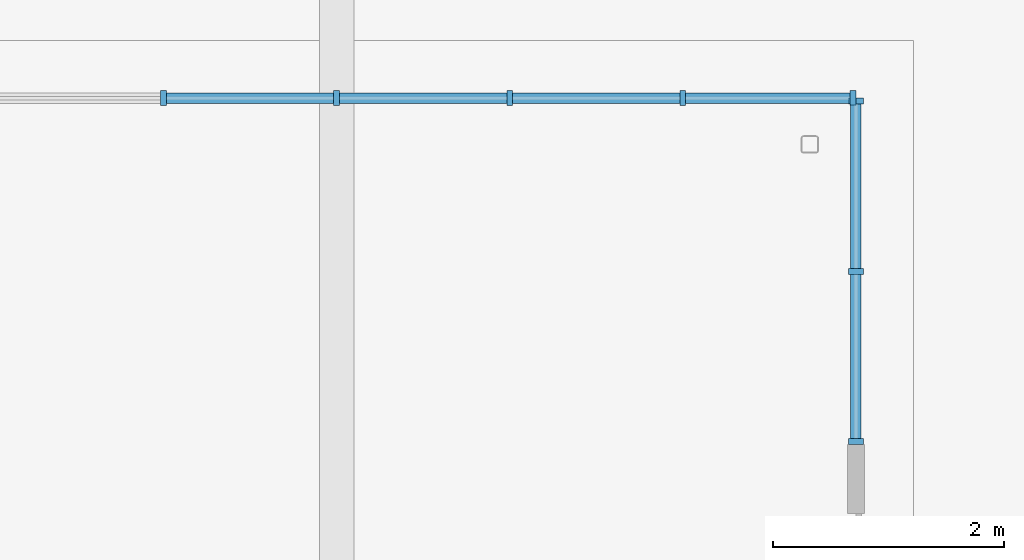
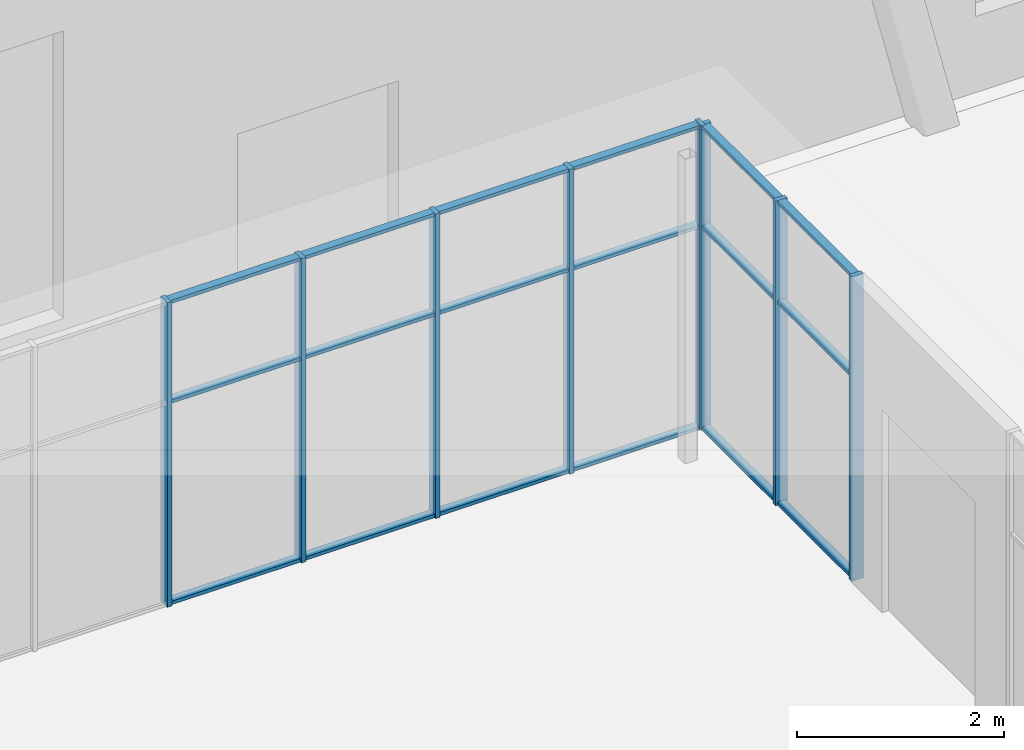
# One storey, part 7 of 33: 26 members, 2 elements without a shape of their own.
"""IFC4 building model written with IfcOpenShell, lengths in metres."""

import ifcopenshell
import ifcopenshell.guid

model = None  # the IFC model being written
_history = None  # IfcOwnerHistory: only IFC2X3 demands one
_inside = {}  # id of a spatial element -> (the spatial element, [elements in it])
_under = {}  # id of a project, library or spatial element -> (it, [spatial elements below it])
_declared = {}  # id of a project -> (the project, [libraries it declares])
_typed = {}  # id of a type object -> (the type object, [elements of that type])
_made_of = {}  # id of a material, layer set ... -> (it, [elements and type objects made of it])


def new_model(schema):
    """Start an empty IFC model of exactly this schema.

    Asked for "IFC4X3", IfcOpenShell would pick the latest addendum, in which some entities
    have other attributes; the version numbers below select the first issue.
    IFC2X3 requires an IfcOwnerHistory on every rooted entity: one is made here for all.
    """
    global model, _history
    if schema == "IFC4X3":
        model = ifcopenshell.file(schema_version=(4, 3, 0, 0))
    else:
        model = ifcopenshell.file(schema=schema)
    _inside.clear()
    _under.clear()
    _declared.clear()
    _typed.clear()
    _made_of.clear()
    _history = None
    if model.schema == "IFC2X3":
        org = make("IfcOrganization", Name="unknown")
        user = make(
            "IfcPersonAndOrganization",
            ThePerson=make("IfcPerson", FamilyName="unknown"),
            TheOrganization=org,
        )
        app = make(
            "IfcApplication",
            ApplicationDeveloper=org,
            Version="unknown",
            ApplicationFullName="unknown",
            ApplicationIdentifier="unknown",
        )
        _history = make(
            "IfcOwnerHistory",
            OwningUser=user,
            OwningApplication=app,
            ChangeAction="ADDED",
            CreationDate=0,
        )
    return model


def make(cls, **values):
    """One entity of the class cls with the attributes given. An attribute that is None is left unset."""
    return model.create_entity(
        cls, **{name: value for name, value in values.items() if value is not None}
    )


def rooted(cls, **values):
    """An entity with a GlobalId (a new one), such as an element, a storey or a relation."""
    return make(cls, GlobalId=ifcopenshell.guid.new(), OwnerHistory=_history, **values)


def si_unit(unit_type, name, prefix=None):
    """IfcSIUnit, for example si_unit("LENGTHUNIT", "METRE", prefix="MILLI")."""
    return make("IfcSIUnit", UnitType=unit_type, Prefix=prefix, Name=name)


def assignment(units):
    """IfcUnitAssignment: the units of a project."""
    return None if units is None else make("IfcUnitAssignment", Units=units)


def point(xyz):
    """IfcCartesianPoint."""
    return None if xyz is None else make("IfcCartesianPoint", Coordinates=xyz)


def direction(xyz):
    """IfcDirection."""
    return None if xyz is None else make("IfcDirection", DirectionRatios=xyz)


def frame(location, z_axis=None, x_axis=None):
    """IfcAxis2Placement3D, a coordinate frame: its origin and axes. An axis left out is left unset."""
    return make(
        "IfcAxis2Placement3D",
        Location=point(location),
        Axis=direction(z_axis),
        RefDirection=direction(x_axis),
    )


def frame_2d(location, x_axis=None):
    """IfcAxis2Placement2D, a coordinate frame in the plane: its origin and x axis."""
    return make(
        "IfcAxis2Placement2D", Location=point(location), RefDirection=direction(x_axis)
    )


def origin():
    """The frame at (0, 0, 0) with its axes left unset."""
    return frame((0.0, 0.0, 0.0))


def origin_2d():
    """The frame at (0, 0) in the plane with its x axis left unset."""
    return frame_2d((0.0, 0.0))


def place(relative_to, where):
    """IfcLocalPlacement: puts the frame where relative to a parent placement (None: the world)."""
    return make(
        "IfcLocalPlacement", PlacementRelTo=relative_to, RelativePlacement=where
    )


def context(
    kind, dimensions, precision=None, world=None, true_north=None, identifier=None
):
    """IfcGeometricRepresentationContext, for example the 3D "Model" context."""
    return make(
        "IfcGeometricRepresentationContext",
        ContextIdentifier=identifier,
        ContextType=kind,
        CoordinateSpaceDimension=dimensions,
        Precision=precision,
        WorldCoordinateSystem=world,
        TrueNorth=true_north,
    )


def subcontext(parent, identifier, kind, view, scale=None):
    """IfcGeometricRepresentationSubContext, for example "Body" below "Model"."""
    return make(
        "IfcGeometricRepresentationSubContext",
        ContextIdentifier=identifier,
        ContextType=kind,
        ParentContext=parent,
        TargetScale=scale,
        TargetView=view,
    )


def project(units=None, contexts=None):
    """IfcProject with its units and contexts."""
    return rooted(
        "IfcProject",
        Name="project",
        RepresentationContexts=contexts,
        UnitsInContext=assignment(units),
    )


def spatial(cls, under=None, at=None, **own):
    """A site, building, storey or space (cls), placed at a placement, below another one or the project."""
    s = rooted(cls, ObjectPlacement=at, **own)
    if under is not None:
        _under.setdefault(under.id(), (under, []))[1].append(s)
    return s


def profile(cls, at=None, kind="AREA", **sizes):
    """A parametric profile (cls). Its sizes go by their IFC names, for example OverallWidth=200.0."""
    return make(cls, ProfileType=kind, Position=at, **sizes)


def rectangle(**sizes):
    """IfcRectangleProfileDef."""
    return profile("IfcRectangleProfileDef", **sizes)


def extrude(swept, where, along, depth):
    """IfcExtrudedAreaSolid: the profile swept, set in the frame where, extruded along a direction by depth."""
    return make(
        "IfcExtrudedAreaSolid",
        SweptArea=swept,
        Position=where,
        ExtrudedDirection=direction(along),
        Depth=depth,
    )


def shape(context_of_items, identifier, shape_type, items):
    """IfcShapeRepresentation: the items that make up one representation, for example the "Body"."""
    return make(
        "IfcShapeRepresentation",
        ContextOfItems=context_of_items,
        RepresentationIdentifier=identifier,
        RepresentationType=shape_type,
        Items=items,
    )


def material(Name=None, Category=None):
    """IfcMaterial."""
    return make("IfcMaterial", Name=Name, Category=Category)


def constituent(of_material, Name=None, Category=None, fraction=None):
    """IfcMaterialConstituent: one of the materials an element consists of."""
    return make(
        "IfcMaterialConstituent",
        Name=Name,
        Material=of_material,
        Fraction=fraction,
        Category=Category,
    )


def constituent_set(constituents=None, Name=None):
    """IfcMaterialConstituentSet."""
    return make(
        "IfcMaterialConstituentSet", Name=Name, MaterialConstituents=constituents
    )


def material_profile(
    of_material, cross_section, Name=None, Category=None, Priority=None
):
    """IfcMaterialProfile: a cross section and its material."""
    return make(
        "IfcMaterialProfile",
        Name=Name,
        Material=of_material,
        Profile=cross_section,
        Priority=Priority,
        Category=Category,
    )


def profile_set(profiles, Name=None, composite=None):
    """IfcMaterialProfileSet."""
    return make(
        "IfcMaterialProfileSet",
        Name=Name,
        MaterialProfiles=profiles,
        CompositeProfile=composite,
    )


def made_of(thing, what):
    """Note that an element or type object is made of a material, layer set ...; save() writes the relation."""
    if what is not None:
        _made_of.setdefault(what.id(), (what, []))[1].append(thing)
    return thing


def type_object(cls, material=None, **own):
    """A type object (cls), such as IfcWallType, which elements share."""
    return made_of(rooted(cls, **own), material)


def element(
    cls,
    number,
    at=None,
    inside=None,
    cuts=None,
    type_object=None,
    material=None,
    context=None,
    identifier="Body",
    shape_type=None,
    held_by="IfcProductDefinitionShape",
    body=None,
    shapes=None,
    **own,
):
    """One element of the class cls, such as IfcWall. Its Tag is "e" and its number.

    at: its placement. inside: the storey or other place that contains it. cuts: it is an
    opening in that element (IfcRelVoidsElement). A single representation is given by context,
    identifier, shape_type and body (its items); several are given by shapes. held_by: the class
    of the entity that holds the representations. save() writes the other relations.
    """
    e = rooted(cls, Tag="e%d" % number, ObjectPlacement=at, **own)
    if body is not None:
        shapes = [shape(context, identifier, shape_type, body)]
    if shapes is not None:
        e.Representation = make(held_by, Representations=shapes)
    if inside is not None:
        _inside.setdefault(inside.id(), (inside, []))[1].append(e)
    if cuts is not None:
        rooted(
            "IfcRelVoidsElement", RelatingBuildingElement=cuts, RelatedOpeningElement=e
        )
    if type_object is not None:
        _typed.setdefault(type_object.id(), (type_object, []))[1].append(e)
    return made_of(e, material)


def aggregate(whole, parts):
    """IfcRelAggregates: a whole, such as a stair, and the parts it consists of."""
    return rooted("IfcRelAggregates", RelatingObject=whole, RelatedObjects=parts)


def save(model, path):
    """Write the relations noted so far, then the file.

    IfcRelAggregates (storeys below a building ...), IfcRelContainedInSpatialStructure (elements
    in a storey), IfcRelDefinesByType, IfcRelAssociatesMaterial and IfcRelDeclares: one each for
    every whole, place, type object, material and project.
    """
    for whole, parts in _under.values():
        aggregate(whole, parts)
    for where, things in _inside.values():
        rooted(
            "IfcRelContainedInSpatialStructure",
            RelatedElements=things,
            RelatingStructure=where,
        )
    for kind, things in _typed.values():
        rooted("IfcRelDefinesByType", RelatedObjects=things, RelatingType=kind)
    for what, things in _made_of.values():
        rooted("IfcRelAssociatesMaterial", RelatedObjects=things, RelatingMaterial=what)
    for by, libraries in _declared.values():
        rooted("IfcRelDeclares", RelatingContext=by, RelatedDefinitions=libraries)
    model.write(path)


model = new_model("IFC4")

# Units and contexts
model_context = context("Model", 3, precision=1e-05, world=origin(), true_north=direction((0.0, 1.0)))
body_context = subcontext(model_context, "Body", "Model", "MODEL_VIEW")
ifc_project = project(units=[si_unit("LENGTHUNIT", "METRE"), si_unit("AREAUNIT", "SQUARE_METRE"), si_unit("VOLUMEUNIT", "CUBIC_METRE"), si_unit("PLANEANGLEUNIT", "RADIAN"), si_unit("MASSUNIT", "GRAM", prefix="KILO")], contexts=[model_context])

# Site, building, storey
site_placement = place(None, origin())
site = spatial("IfcSite", under=ifc_project, at=site_placement, CompositionType="ELEMENT")
building_placement = place(site_placement, origin())
building = spatial("IfcBuilding", under=site, at=building_placement, Name="Quoin Convention Tower", CompositionType="ELEMENT")
storey_placement = place(building_placement, frame((0.0, 0.0, 8.0)))
storey = spatial("IfcBuildingStorey", under=building, at=storey_placement, Name="L01", CompositionType="ELEMENT", Elevation=8.0)

# Curtain wall, members
ifc_material_1 = material(Name="Aluminium", Category="aluminium")
ifc_constituent_1 = constituent(ifc_material_1, Name="Frame")
ifc_material_2 = material(Name="Insulated glass", Category="glass")
ifc_constituent_2 = constituent(ifc_material_2, Name="Glazing")
ifc_constituent_set = constituent_set(constituents=[ifc_constituent_1, ifc_constituent_2], Name="Aluminium")
curtain_wall_type = type_object("IfcCurtainWallType", Name="Garden pavilion glazing system", PredefinedType="NOTDEFINED", material=ifc_constituent_set)
curtain_wall_1_placement = place(storey_placement, origin())
curtain_wall_1 = element("IfcCurtainWall", 1, at=curtain_wall_1_placement, inside=storey, type_object=curtain_wall_type, Name="cw-PAV-W0-31500_10500", PredefinedType="NOTDEFINED")
ifc_material_profile_1 = material_profile(ifc_material_1, rectangle(XDim=0.1298828125, YDim=0.050048828125, at=origin_2d()), Name="Garden pavilion glazing mullion 50x130")
ifc_profile_set_1 = profile_set([ifc_material_profile_1], Name="Aluminium")
member_type_1 = type_object("IfcMemberType", Name="Garden pavilion glazing mullion 50x130", PredefinedType="MULLION", material=ifc_profile_set_1)
member_1_placement = place(storey_placement, frame((31.5, 10.52490234375, 0.0), z_axis=(0.0, 0.0, 1.0), x_axis=(-1.0, 0.0, 0.0)))
member_1 = element("IfcMember", 2, at=member_1_placement, type_object=member_type_1, Name="CW4 mullion 1", PredefinedType="MULLION", context=body_context, shape_type="SweptSolid", body=[
    extrude(rectangle(XDim=0.1298828125, YDim=0.050048828125, at=origin_2d()), origin(), (0.0, 0.0, 1.0), 3.60009765625),
])
member_2_placement = place(storey_placement, frame((31.5, 12.0, 0.0), z_axis=(0.0, 0.0, 1.0), x_axis=(-1.0, 0.0, 0.0)))
member_2 = element("IfcMember", 3, at=member_2_placement, type_object=member_type_1, Name="CW4 mullion 2", PredefinedType="MULLION", context=body_context, shape_type="SweptSolid", body=[
    extrude(rectangle(XDim=0.1298828125, YDim=0.050048828125, at=origin_2d()), origin(), (0.0, 0.0, 1.0), 3.60009765625),
])
member_3_placement = place(storey_placement, frame((31.5, 13.47509765625, 0.0), z_axis=(0.0, 0.0, 1.0), x_axis=(-1.0, 0.0, 0.0)))
member_3 = element("IfcMember", 4, at=member_3_placement, type_object=member_type_1, Name="CW4 mullion 3", PredefinedType="MULLION", context=body_context, shape_type="SweptSolid", body=[
    extrude(rectangle(XDim=0.1298828125, YDim=0.050048828125, at=origin_2d()), origin(), (0.0, 0.0, 1.0), 3.60009765625),
])

curtain_wall_2_placement = place(storey_placement, origin())
curtain_wall_2 = element("IfcCurtainWall", 5, at=curtain_wall_2_placement, inside=storey, type_object=curtain_wall_type, Name="cw-PAV-W1-31500_13500", PredefinedType="NOTDEFINED")
member_4_placement = place(storey_placement, frame((31.47509765625, 13.5, 0.0), z_axis=(0.0, 0.0, 1.0), x_axis=(0.0, -1.0, 0.0)))
member_4 = element("IfcMember", 6, at=member_4_placement, type_object=member_type_1, Name="CW4 mullion 1", PredefinedType="MULLION", context=body_context, shape_type="SweptSolid", body=[
    extrude(rectangle(XDim=0.1298828125, YDim=0.050048828125, at=origin_2d()), origin(), (0.0, 0.0, 1.0), 3.60009765625),
])
member_5_placement = place(storey_placement, frame((30.0, 13.5, 0.0), z_axis=(0.0, 0.0, 1.0), x_axis=(0.0, -1.0, 0.0)))
member_5 = element("IfcMember", 7, at=member_5_placement, type_object=member_type_1, Name="CW4 mullion 2", PredefinedType="MULLION", context=body_context, shape_type="SweptSolid", body=[
    extrude(rectangle(XDim=0.1298828125, YDim=0.050048828125, at=origin_2d()), origin(), (0.0, 0.0, 1.0), 3.60009765625),
])
member_6_placement = place(storey_placement, frame((28.5, 13.5, 0.0), z_axis=(0.0, 0.0, 1.0), x_axis=(0.0, -1.0, 0.0)))
member_6 = element("IfcMember", 8, at=member_6_placement, type_object=member_type_1, Name="CW4 mullion 3", PredefinedType="MULLION", context=body_context, shape_type="SweptSolid", body=[
    extrude(rectangle(XDim=0.1298828125, YDim=0.050048828125, at=origin_2d()), origin(), (0.0, 0.0, 1.0), 3.60009765625),
])
member_7_placement = place(storey_placement, frame((27.0, 13.5, 0.0), z_axis=(0.0, 0.0, 1.0), x_axis=(0.0, -1.0, 0.0)))
member_7 = element("IfcMember", 9, at=member_7_placement, type_object=member_type_1, Name="CW4 mullion 4", PredefinedType="MULLION", context=body_context, shape_type="SweptSolid", body=[
    extrude(rectangle(XDim=0.1298828125, YDim=0.050048828125, at=origin_2d()), origin(), (0.0, 0.0, 1.0), 3.60009765625),
])
member_8_placement = place(storey_placement, frame((25.5, 13.5, 0.0), z_axis=(0.0, 0.0, 1.0), x_axis=(0.0, -1.0, 0.0)))
member_8 = element("IfcMember", 10, at=member_8_placement, type_object=member_type_1, Name="CW4 mullion 5", PredefinedType="MULLION", context=body_context, shape_type="SweptSolid", body=[
    extrude(rectangle(XDim=0.1298828125, YDim=0.050048828125, at=origin_2d()), origin(), (0.0, 0.0, 1.0), 3.60009765625),
])

# Member
ifc_material_profile_2 = material_profile(ifc_material_1, rectangle(XDim=0.090087890625, YDim=0.0400390625, at=origin_2d()), Name="Garden pavilion glazing transom 40x90")
ifc_profile_set_2 = profile_set([ifc_material_profile_2], Name="Aluminium")
member_type_2 = type_object("IfcMemberType", Name="Garden pavilion glazing transom 40x90", PredefinedType="USERDEFINED", material=ifc_profile_set_2)
member_9_placement = place(storey_placement, frame((31.5, 10.550048828125, 0.02001953125), z_axis=(0.0, 1.0, 0.0), x_axis=(-1.0, 0.0, 0.0)))
member_9 = element("IfcMember", 11, at=member_9_placement, type_object=member_type_2, Name="CW4 transom 1.1", ObjectType="TRANSOM", PredefinedType="USERDEFINED", context=body_context, shape_type="SweptSolid", body=[
    extrude(rectangle(XDim=0.090087890625, YDim=0.0400390625, at=origin_2d()), origin(), (0.0, 0.0, 1.0), 1.425048828125),
])

member_10_placement = place(storey_placement, frame((31.5, 10.550048828125, 2.39990234375), z_axis=(0.0, 1.0, 0.0), x_axis=(-1.0, 0.0, 0.0)))
member_10 = element("IfcMember", 12, at=member_10_placement, type_object=member_type_2, Name="CW4 transom 1.2", ObjectType="TRANSOM", PredefinedType="USERDEFINED", context=body_context, shape_type="SweptSolid", body=[
    extrude(rectangle(XDim=0.090087890625, YDim=0.0400390625, at=origin_2d()), origin(), (0.0, 0.0, 1.0), 1.425048828125),
])

member_11_placement = place(storey_placement, frame((31.5, 10.550048828125, 3.580078125), z_axis=(0.0, 1.0, 0.0), x_axis=(-1.0, 0.0, 0.0)))
member_11 = element("IfcMember", 13, at=member_11_placement, type_object=member_type_2, Name="CW4 transom 1.3", ObjectType="TRANSOM", PredefinedType="USERDEFINED", context=body_context, shape_type="SweptSolid", body=[
    extrude(rectangle(XDim=0.090087890625, YDim=0.0400390625, at=origin_2d()), origin(), (0.0, 0.0, 1.0), 1.425048828125),
])

member_12_placement = place(storey_placement, frame((31.5, 12.02490234375, 0.02001953125), z_axis=(0.0, 1.0, 0.0), x_axis=(-1.0, 0.0, 0.0)))
member_12 = element("IfcMember", 14, at=member_12_placement, type_object=member_type_2, Name="CW4 transom 2.1", ObjectType="TRANSOM", PredefinedType="USERDEFINED", context=body_context, shape_type="SweptSolid", body=[
    extrude(rectangle(XDim=0.090087890625, YDim=0.0400390625, at=origin_2d()), origin(), (0.0, 0.0, 1.0), 1.425048828125),
])

member_13_placement = place(storey_placement, frame((31.5, 12.02490234375, 2.39990234375), z_axis=(0.0, 1.0, 0.0), x_axis=(-1.0, 0.0, 0.0)))
member_13 = element("IfcMember", 15, at=member_13_placement, type_object=member_type_2, Name="CW4 transom 2.2", ObjectType="TRANSOM", PredefinedType="USERDEFINED", context=body_context, shape_type="SweptSolid", body=[
    extrude(rectangle(XDim=0.090087890625, YDim=0.0400390625, at=origin_2d()), origin(), (0.0, 0.0, 1.0), 1.425048828125),
])

member_14_placement = place(storey_placement, frame((31.5, 12.02490234375, 3.580078125), z_axis=(0.0, 1.0, 0.0), x_axis=(-1.0, 0.0, 0.0)))
member_14 = element("IfcMember", 16, at=member_14_placement, type_object=member_type_2, Name="CW4 transom 2.3", ObjectType="TRANSOM", PredefinedType="USERDEFINED", context=body_context, shape_type="SweptSolid", body=[
    extrude(rectangle(XDim=0.090087890625, YDim=0.0400390625, at=origin_2d()), origin(), (0.0, 0.0, 1.0), 1.425048828125),
])

aggregate(curtain_wall_1, [member_1, member_2, member_3, member_9, member_10, member_11, member_12, member_13, member_14])

member_15_placement = place(storey_placement, frame((31.449951171875, 13.5, 0.02001953125), z_axis=(-1.0, 0.0, 0.0), x_axis=(0.0, -1.0, 0.0)))
member_15 = element("IfcMember", 17, at=member_15_placement, type_object=member_type_2, Name="CW4 transom 1.1", ObjectType="TRANSOM", PredefinedType="USERDEFINED", context=body_context, shape_type="SweptSolid", body=[
    extrude(rectangle(XDim=0.090087890625, YDim=0.0400390625, at=origin_2d()), origin(), (0.0, 0.0, 1.0), 1.425048828125),
])

member_16_placement = place(storey_placement, frame((31.449951171875, 13.5, 2.39990234375), z_axis=(-1.0, 0.0, 0.0), x_axis=(0.0, -1.0, 0.0)))
member_16 = element("IfcMember", 18, at=member_16_placement, type_object=member_type_2, Name="CW4 transom 1.2", ObjectType="TRANSOM", PredefinedType="USERDEFINED", context=body_context, shape_type="SweptSolid", body=[
    extrude(rectangle(XDim=0.090087890625, YDim=0.0400390625, at=origin_2d()), origin(), (0.0, 0.0, 1.0), 1.425048828125),
])

member_17_placement = place(storey_placement, frame((31.449951171875, 13.5, 3.580078125), z_axis=(-1.0, 0.0, 0.0), x_axis=(0.0, -1.0, 0.0)))
member_17 = element("IfcMember", 19, at=member_17_placement, type_object=member_type_2, Name="CW4 transom 1.3", ObjectType="TRANSOM", PredefinedType="USERDEFINED", context=body_context, shape_type="SweptSolid", body=[
    extrude(rectangle(XDim=0.090087890625, YDim=0.0400390625, at=origin_2d()), origin(), (0.0, 0.0, 1.0), 1.425048828125),
])

member_18_placement = place(storey_placement, frame((29.97509765625, 13.5, 0.02001953125), z_axis=(-1.0, 0.0, 0.0), x_axis=(0.0, -1.0, 0.0)))
member_18 = element("IfcMember", 20, at=member_18_placement, type_object=member_type_2, Name="CW4 transom 2.1", ObjectType="TRANSOM", PredefinedType="USERDEFINED", context=body_context, shape_type="SweptSolid", body=[
    extrude(rectangle(XDim=0.090087890625, YDim=0.0400390625, at=origin_2d()), origin(), (0.0, 0.0, 1.0), 1.4501953125),
])

member_19_placement = place(storey_placement, frame((29.97509765625, 13.5, 2.39990234375), z_axis=(-1.0, 0.0, 0.0), x_axis=(0.0, -1.0, 0.0)))
member_19 = element("IfcMember", 21, at=member_19_placement, type_object=member_type_2, Name="CW4 transom 2.2", ObjectType="TRANSOM", PredefinedType="USERDEFINED", context=body_context, shape_type="SweptSolid", body=[
    extrude(rectangle(XDim=0.090087890625, YDim=0.0400390625, at=origin_2d()), origin(), (0.0, 0.0, 1.0), 1.4501953125),
])

member_20_placement = place(storey_placement, frame((29.97509765625, 13.5, 3.580078125), z_axis=(-1.0, 0.0, 0.0), x_axis=(0.0, -1.0, 0.0)))
member_20 = element("IfcMember", 22, at=member_20_placement, type_object=member_type_2, Name="CW4 transom 2.3", ObjectType="TRANSOM", PredefinedType="USERDEFINED", context=body_context, shape_type="SweptSolid", body=[
    extrude(rectangle(XDim=0.090087890625, YDim=0.0400390625, at=origin_2d()), origin(), (0.0, 0.0, 1.0), 1.4501953125),
])

member_21_placement = place(storey_placement, frame((28.47509765625, 13.5, 0.02001953125), z_axis=(-1.0, 0.0, 0.0), x_axis=(0.0, -1.0, 0.0)))
member_21 = element("IfcMember", 23, at=member_21_placement, type_object=member_type_2, Name="CW4 transom 3.1", ObjectType="TRANSOM", PredefinedType="USERDEFINED", context=body_context, shape_type="SweptSolid", body=[
    extrude(rectangle(XDim=0.090087890625, YDim=0.0400390625, at=origin_2d()), origin(), (0.0, 0.0, 1.0), 1.4501953125),
])

member_22_placement = place(storey_placement, frame((28.47509765625, 13.5, 2.39990234375), z_axis=(-1.0, 0.0, 0.0), x_axis=(0.0, -1.0, 0.0)))
member_22 = element("IfcMember", 24, at=member_22_placement, type_object=member_type_2, Name="CW4 transom 3.2", ObjectType="TRANSOM", PredefinedType="USERDEFINED", context=body_context, shape_type="SweptSolid", body=[
    extrude(rectangle(XDim=0.090087890625, YDim=0.0400390625, at=origin_2d()), origin(), (0.0, 0.0, 1.0), 1.4501953125),
])

member_23_placement = place(storey_placement, frame((28.47509765625, 13.5, 3.580078125), z_axis=(-1.0, 0.0, 0.0), x_axis=(0.0, -1.0, 0.0)))
member_23 = element("IfcMember", 25, at=member_23_placement, type_object=member_type_2, Name="CW4 transom 3.3", ObjectType="TRANSOM", PredefinedType="USERDEFINED", context=body_context, shape_type="SweptSolid", body=[
    extrude(rectangle(XDim=0.090087890625, YDim=0.0400390625, at=origin_2d()), origin(), (0.0, 0.0, 1.0), 1.4501953125),
])

member_24_placement = place(storey_placement, frame((26.97509765625, 13.5, 0.02001953125), z_axis=(-1.0, 0.0, 0.0), x_axis=(0.0, -1.0, 0.0)))
member_24 = element("IfcMember", 26, at=member_24_placement, type_object=member_type_2, Name="CW4 transom 4.1", ObjectType="TRANSOM", PredefinedType="USERDEFINED", context=body_context, shape_type="SweptSolid", body=[
    extrude(rectangle(XDim=0.090087890625, YDim=0.0400390625, at=origin_2d()), origin(), (0.0, 0.0, 1.0), 1.4501953125),
])

member_25_placement = place(storey_placement, frame((26.97509765625, 13.5, 2.39990234375), z_axis=(-1.0, 0.0, 0.0), x_axis=(0.0, -1.0, 0.0)))
member_25 = element("IfcMember", 27, at=member_25_placement, type_object=member_type_2, Name="CW4 transom 4.2", ObjectType="TRANSOM", PredefinedType="USERDEFINED", context=body_context, shape_type="SweptSolid", body=[
    extrude(rectangle(XDim=0.090087890625, YDim=0.0400390625, at=origin_2d()), origin(), (0.0, 0.0, 1.0), 1.4501953125),
])

member_26_placement = place(storey_placement, frame((26.97509765625, 13.5, 3.580078125), z_axis=(-1.0, 0.0, 0.0), x_axis=(0.0, -1.0, 0.0)))
member_26 = element("IfcMember", 28, at=member_26_placement, type_object=member_type_2, Name="CW4 transom 4.3", ObjectType="TRANSOM", PredefinedType="USERDEFINED", context=body_context, shape_type="SweptSolid", body=[
    extrude(rectangle(XDim=0.090087890625, YDim=0.0400390625, at=origin_2d()), origin(), (0.0, 0.0, 1.0), 1.4501953125),
])

aggregate(curtain_wall_2, [member_4, member_5, member_6, member_7, member_8, member_15, member_16, member_17, member_18, member_19, member_20, member_21, member_22, member_23, member_24, member_25, member_26])

save(model, "model.ifc")
